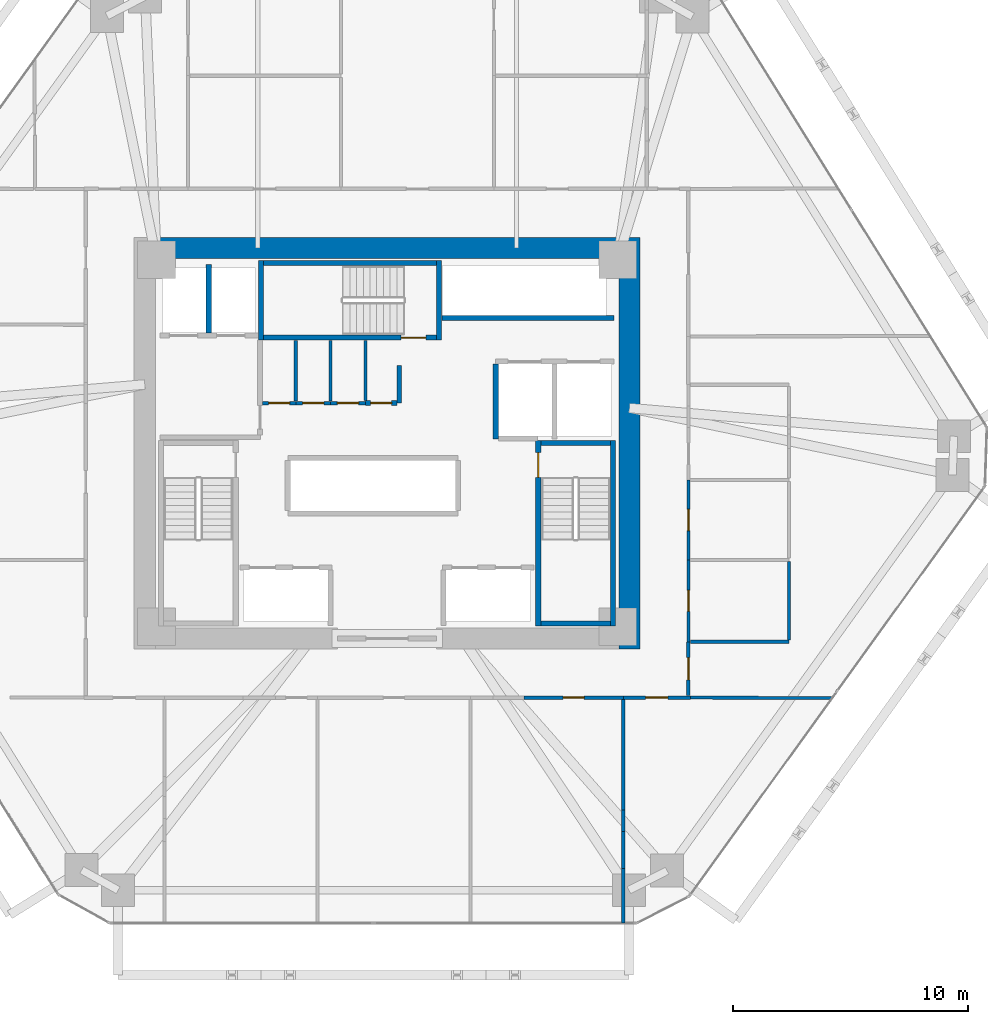
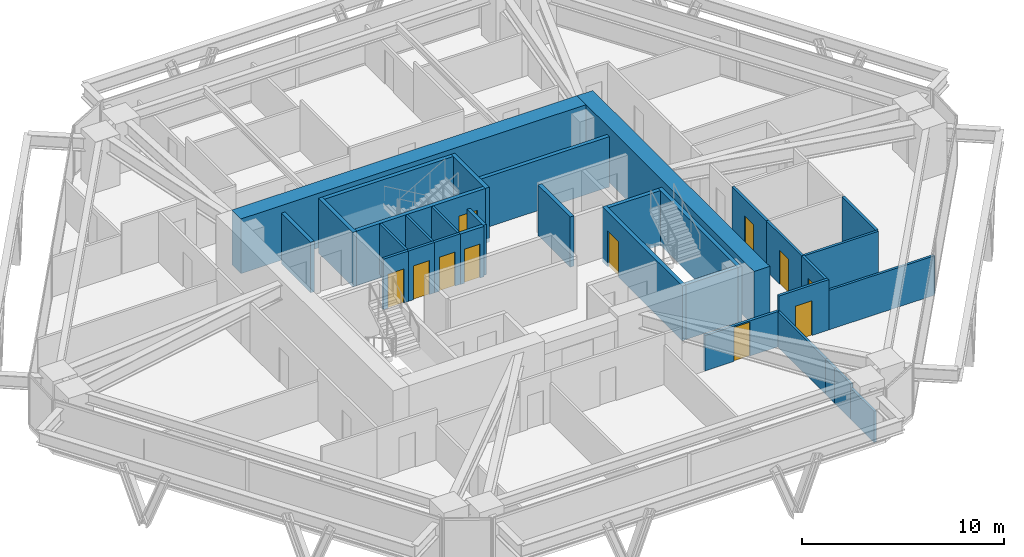
# One storey, part 12 of 15: 33 walls, 11 doors, 11 openings.
"""IFC4 building model written with IfcOpenShell, lengths in metres."""

from ifc_helpers import new_model, si_unit, direction, frame, frame_2d, origin, place, context, subcontext, project, spatial, rectangle, extrude, source, transform, mapped, material, layer, layer_set, type_object, type_shapes, element, fill, save


model = new_model("IFC4")

# Units and contexts
model_context = context("Model", 3, precision=1e-05, world=origin(), true_north=direction((0.0, 1.0)))
body_context = subcontext(model_context, "Body", "Model", "MODEL_VIEW")
ifc_project = project(units=[si_unit("LENGTHUNIT", "METRE"), si_unit("AREAUNIT", "SQUARE_METRE"), si_unit("VOLUMEUNIT", "CUBIC_METRE"), si_unit("PLANEANGLEUNIT", "RADIAN"), si_unit("MASSUNIT", "GRAM", prefix="KILO")], contexts=[model_context])

# Site, building, storey
site_placement = place(None, origin())
site = spatial("IfcSite", under=ifc_project, at=site_placement, CompositionType="ELEMENT")
building_placement = place(site_placement, origin())
building = spatial("IfcBuilding", under=site, at=building_placement, Name="Durnholm Broadcast Tower", CompositionType="ELEMENT")
storey_placement = place(building_placement, frame((0.0, 0.0, 42.300048828125)))
storey = spatial("IfcBuildingStorey", under=building, at=storey_placement, Name="L09", CompositionType="ELEMENT", Elevation=42.300048828125)

# Walls
ifc_material_1 = material(Name="Concrete C70/85", Category="concrete")
ifc_layer_1 = layer(ifc_material_1, 0.89990234375)
ifc_layer_set_1 = layer_set([ifc_layer_1], Name="Concrete C70/85")
wall_type_1 = type_object("IfcWallType", Name="WALL-CW-900", PredefinedType="SHEAR", material=ifc_layer_set_1)
wall_1_placement = place(storey_placement, frame((10.300048828125, -8.75, 0.0), z_axis=(0.0, 0.0, 1.0), x_axis=(0.0, 1.0, 0.0)))
element("IfcWall", 1, at=wall_1_placement, inside=storey, type_object=wall_type_1, Name="L09 central core shear wall CW-EAST", PredefinedType="SHEAR", context=body_context, shape_type="SweptSolid", body=[
    extrude(rectangle(XDim=17.5, YDim=0.89990234375, at=frame_2d((8.75, 0.0))), origin(), (0.0, 0.0, 1.0), 3.300048828125),
])
wall_2_placement = place(storey_placement, frame((-9.85009765625, 8.300048828125, 0.0), z_axis=(0.0, 0.0, 1.0), x_axis=(1.0, 0.0, 0.0)))
element("IfcWall", 2, at=wall_2_placement, inside=storey, type_object=wall_type_1, Name="L09 central core shear wall CW-N", PredefinedType="SHEAR", context=body_context, shape_type="SweptSolid", body=[
    extrude(rectangle(XDim=19.7001953125, YDim=0.89990234375, at=frame_2d((9.85009765625, 0.0))), origin(), (0.0, 0.0, 1.0), 3.300048828125),
])
ifc_material_2 = material(Name="Fire-Rated Gypsum Shaftwall", Category="concrete")
ifc_layer_2 = layer(ifc_material_2, 0.199951171875)
ifc_layer_set_2 = layer_set([ifc_layer_2], Name="Fire-Rated Gypsum Shaftwall")
wall_type_2 = type_object("IfcWallType", Name="WALL-LOB-200", PredefinedType="SOLIDWALL", material=ifc_layer_set_2)
wall_3_placement = place(storey_placement, frame((0.52001953125, 3.300048828125, 0.0), z_axis=(0.0, 0.0, 1.0), x_axis=(0.0, -1.0, 0.0)))
element("IfcWall", 3, at=wall_3_placement, inside=storey, type_object=wall_type_2, Name="L09 Core Signal Sync Room corridor partition", PredefinedType="SOLIDWALL", context=body_context, shape_type="SweptSolid", body=[
    extrude(rectangle(XDim=1.590087890625, YDim=0.199951171875, at=frame_2d((0.794921875, 0.0))), origin(), (0.0, 0.0, 1.0), 3.044921875),
])

# Wall, opening, door
wall_4_placement = place(storey_placement, frame((0.416015625, 1.7099609375, 0.0), z_axis=(0.0, 0.0, 1.0), x_axis=(-1.0, 0.0, 0.0)))
wall_4 = element("IfcWall", 4, at=wall_4_placement, inside=storey, type_object=wall_type_2, Name="L09 Core Signal Sync Room corridor partition", PredefinedType="SOLIDWALL", context=body_context, shape_type="SweptSolid", body=[
    extrude(rectangle(XDim=1.3359375, YDim=0.199951171875, at=frame_2d((0.66796875, 0.0))), origin(), (0.0, 0.0, 1.0), 3.044921875),
])
opening_1_placement = place(wall_4_placement, frame((0.218017578125, 0.0, 0.0)))
opening_1 = element("IfcOpeningElement", 5, at=opening_1_placement, cuts=wall_4, Name="Opening DC-60R", PredefinedType="OPENING", context=body_context, shape_type="SweptSolid", body=[
    extrude(rectangle(XDim=0.89990234375, YDim=2.050048828125, at=frame_2d((0.449951171875, 1.02490234375))), frame((0.0, 0.10986328125, 0.0), z_axis=(0.0, -1.0, 0.0), x_axis=(1.0, 0.0, 0.0)), (0.0, 0.0, 1.0), 0.219970703125),
])
ifc_material_3 = material(Name="Fire-Rated Core Service Door", Category="steel")
ifc_layer_3 = layer(ifc_material_3, 0.050048828125)
ifc_layer_set_3 = layer_set([ifc_layer_3], Name="Fire-Rated Core Service Door")
door_type_1 = type_object("IfcDoorType", Name="DOOR-CORE-FD60-R", OperationType="NOTDEFINED", PredefinedType="DOOR", material=ifc_layer_set_3)
shared_shape_1 = source(origin(), body_context, "Body", "SweptSolid", [
    extrude(rectangle(XDim=0.89990234375, YDim=2.050048828125, at=frame_2d((0.449951171875, 1.02490234375))), frame((0.0, 0.02490234375, 0.0), z_axis=(0.0, -1.0, 0.0), x_axis=(1.0, 0.0, 0.0)), (0.0, 0.0, 1.0), 0.050048828125),
])
type_shapes(door_type_1, [shared_shape_1])
door_1_placement = place(opening_1_placement, origin())
door_1 = element("IfcDoor", 6, at=door_1_placement, inside=storey, type_object=door_type_1, Name="L09 Core Signal Sync Room entrance door", OperationType="SINGLE_SWING_RIGHT", OverallHeight=2.050048828125, OverallWidth=0.89990234375, PredefinedType="DOOR", context=body_context, shape_type="MappedRepresentation", body=[
    mapped(shared_shape_1, transform((0.0, 0.0, 0.0), x_axis=(1.0, 0.0, 0.0), y_axis=(0.0, 1.0, 0.0), z_axis=(0.0, 0.0, 1.0), scale=1.0)),
])
fill(opening_1, door_1)

# Walls
ifc_material_4 = material(Name="Gypsum Metal Stud Partition", Category="concrete")
ifc_layer_4 = layer(ifc_material_4, 0.135009765625)
ifc_layer_set_4 = layer_set([ifc_layer_4], Name="Gypsum Metal Stud Partition")
wall_type_3 = type_object("IfcWallType", Name="WALL-PART-135", PredefinedType="PARTITIONING", material=ifc_layer_set_4)
for number, where, z_axis, x_axis, name in (
    (7, (-3.8798828125, 4.375, 0.0), (0.0, 0.0, 1.0), (0.0, -1.0, 0.0), "L09 room dividing partition 1.2"),
    (8, (-2.39990234375, 4.375, 0.0), (0.0, 0.0, 1.0), (0.0, -1.0, 0.0), "L09 room dividing partition 2.3"),
):
    element("IfcWall", number, at=place(storey_placement, frame(where, z_axis=z_axis, x_axis=x_axis)), inside=storey, type_object=wall_type_3, Name=name, PredefinedType="PARTITIONING", context=body_context, shape_type="SweptSolid", body=[
        extrude(rectangle(XDim=2.5859375, YDim=0.135009765625, at=frame_2d((1.29296875, 0.0))), origin(), (0.0, 0.0, 1.0), 3.044921875),
    ])
wall_5_placement = place(storey_placement, frame((-0.919921875, 4.375, 0.0), z_axis=(0.0, 0.0, 1.0), x_axis=(0.0, -1.0, 0.0)))
element("IfcWall", 9, at=wall_5_placement, inside=storey, type_object=wall_type_3, Name="L09 room dividing partition 3.4", PredefinedType="PARTITIONING", context=body_context, shape_type="SweptSolid", body=[
    extrude(rectangle(XDim=2.56103515625, YDim=0.135009765625, at=frame_2d((1.280517578125, 0.0))), origin(), (0.0, 0.0, 1.0), 3.044921875),
])
wall_6_placement = place(storey_placement, frame((10.0400390625, -10.888916015625, 0.0), z_axis=(0.0, 0.0, 1.0), x_axis=(0.0, -1.0, 0.0)))
element("IfcWall", 10, at=wall_6_placement, inside=storey, type_object=wall_type_3, Name="L09 room dividing partition 19.20", PredefinedType="PARTITIONING", context=body_context, shape_type="SweptSolid", body=[
    extrude(rectangle(XDim=4.706787109375, YDim=0.135009765625, at=frame_2d((2.353515625, 0.0))), origin(), (0.0, 0.0, 1.0), 2.130126953125),
])
wall_7_placement = place(storey_placement, frame((10.0400390625, -16.508544921875, 0.0), z_axis=(0.0, 0.0, 1.0), x_axis=(0.0, -1.0, 0.0)))
element("IfcWall", 11, at=wall_7_placement, inside=storey, type_object=wall_type_3, Name="L09 room dividing partition 19.20", PredefinedType="PARTITIONING", context=body_context, shape_type="SweptSolid", body=[
    extrude(rectangle(XDim=1.57763671875, YDim=0.135009765625, at=frame_2d((0.788818359375, 0.0))), origin(), (0.0, 0.0, 1.0), 2.130126953125),
])
wall_8_placement = place(storey_placement, frame((10.0400390625, -15.595703125, 0.0), z_axis=(0.0, 0.0, 1.0), x_axis=(0.0, -1.0, 0.0)))
element("IfcWall", 12, at=wall_8_placement, inside=storey, type_object=wall_type_3, Name="L09 room dividing partition 19.20", PredefinedType="PARTITIONING", context=body_context, shape_type="SweptSolid", body=[
    extrude(rectangle(XDim=0.912841796875, YDim=0.135009765625, at=frame_2d((0.45654296875, 0.0))), origin(), (0.0, 0.0, 1.0), 2.130126953125),
])
wall_9_placement = place(storey_placement, frame((10.0400390625, -18.086181640625, 0.0), z_axis=(0.0, 0.0, 1.0), x_axis=(0.0, -1.0, 0.0)))
element("IfcWall", 13, at=wall_9_placement, inside=storey, type_object=wall_type_3, Name="L09 room dividing partition 19.20", PredefinedType="PARTITIONING", context=body_context, shape_type="SweptSolid", body=[
    extrude(rectangle(XDim=2.313720703125, YDim=0.135009765625, at=frame_2d((1.15673828125, 0.0))), origin(), (0.0, 0.0, 1.0), 1.877197265625),
])
wall_10_placement = place(storey_placement, frame((12.889892578125, -10.810302734375, 0.0), z_axis=(0.0, 0.0, 1.0), x_axis=(0.999992607823, -0.003845035728, 0.0)))
element("IfcWall", 14, at=wall_10_placement, inside=storey, type_object=wall_type_3, Name="L09 room dividing partition 20.24", PredefinedType="PARTITIONING", context=body_context, shape_type="SweptSolid", body=[
    extrude(rectangle(XDim=6.031982421875, YDim=0.135009765625, at=frame_2d((3.01611328125, 0.0))), origin(), (0.0, 0.0, 1.0), 2.3798828125),
])

# Wall, opening, door
ifc_material_5 = material(Name="Acoustic Gypsum Stud Partition", Category="concrete")
ifc_layer_5 = layer(ifc_material_5, 0.14990234375)
ifc_layer_set_5 = layer_set([ifc_layer_5], Name="Acoustic Gypsum Stud Partition")
wall_type_4 = type_object("IfcWallType", Name="WALL-PART-150", PredefinedType="PARTITIONING", material=ifc_layer_set_5)
wall_11_placement = place(storey_placement, frame((-3.8798828125, 1.7099609375, 0.0), z_axis=(0.0, 0.0, 1.0), x_axis=(-1.0, 0.0, 0.0)))
wall_11 = element("IfcWall", 15, at=wall_11_placement, inside=storey, type_object=wall_type_4, Name="L09 Core First Aid Store corridor partition", PredefinedType="PARTITIONING", context=body_context, shape_type="SweptSolid", body=[
    extrude(rectangle(XDim=1.416015625, YDim=0.14990234375, at=frame_2d((0.7080078125, 0.0))), origin(), (0.0, 0.0, 1.0), 3.044921875),
])
opening_2_placement = place(wall_11_placement, frame((0.258056640625, 0.0, 0.0)))
opening_2 = element("IfcOpeningElement", 16, at=opening_2_placement, cuts=wall_11, Name="Opening DC-60L", PredefinedType="OPENING", context=body_context, shape_type="SweptSolid", body=[
    extrude(rectangle(XDim=0.89990234375, YDim=2.050048828125, at=frame_2d((0.449951171875, 1.02490234375))), frame((0.0, 0.0849609375, 0.0), z_axis=(0.0, -1.0, 0.0), x_axis=(1.0, 0.0, 0.0)), (0.0, 0.0, 1.0), 0.169921875),
])
ifc_layer_6 = layer(ifc_material_3, 0.050048828125)
ifc_layer_set_6 = layer_set([ifc_layer_6], Name="Fire-Rated Core Service Door")
door_type_2 = type_object("IfcDoorType", Name="DOOR-CORE-FD60-L", OperationType="NOTDEFINED", PredefinedType="DOOR", material=ifc_layer_set_6)
shared_shape_2 = source(origin(), body_context, "Body", "SweptSolid", [
    extrude(rectangle(XDim=0.89990234375, YDim=2.050048828125, at=frame_2d((0.449951171875, 1.02490234375))), frame((0.0, 0.02490234375, 0.0), z_axis=(0.0, -1.0, 0.0), x_axis=(1.0, 0.0, 0.0)), (0.0, 0.0, 1.0), 0.050048828125),
])
type_shapes(door_type_2, [shared_shape_2])
door_2_placement = place(opening_2_placement, origin())
door_2 = element("IfcDoor", 17, at=door_2_placement, inside=storey, type_object=door_type_2, Name="L09 Core First Aid Store entrance door", OperationType="SINGLE_SWING_LEFT", OverallHeight=2.050048828125, OverallWidth=0.89990234375, PredefinedType="DOOR", context=body_context, shape_type="MappedRepresentation", body=[
    mapped(shared_shape_2, transform((0.0, 0.0, 0.0), x_axis=(1.0, 0.0, 0.0), y_axis=(0.0, 1.0, 0.0), z_axis=(0.0, 0.0, 1.0), scale=1.0)),
])
fill(opening_2, door_2)

wall_12_placement = place(storey_placement, frame((-2.39990234375, 1.7099609375, 0.0), z_axis=(0.0, 0.0, 1.0), x_axis=(-1.0, 0.0, 0.0)))
wall_12 = element("IfcWall", 18, at=wall_12_placement, inside=storey, type_object=wall_type_4, Name="L09 Core Linen Supply Closet corridor partition", PredefinedType="PARTITIONING", context=body_context, shape_type="SweptSolid", body=[
    extrude(rectangle(XDim=1.47998046875, YDim=0.14990234375, at=frame_2d((0.739990234375, 0.0))), origin(), (0.0, 0.0, 1.0), 3.044921875),
])
opening_3_placement = place(wall_12_placement, frame((0.2900390625, 0.0, 0.0)))
opening_3 = element("IfcOpeningElement", 19, at=opening_3_placement, cuts=wall_12, Name="Opening DC-60R", PredefinedType="OPENING", context=body_context, shape_type="SweptSolid", body=[
    extrude(rectangle(XDim=0.89990234375, YDim=2.050048828125, at=frame_2d((0.449951171875, 1.02490234375))), frame((0.0, 0.0849609375, 0.0), z_axis=(0.0, -1.0, 0.0), x_axis=(1.0, 0.0, 0.0)), (0.0, 0.0, 1.0), 0.169921875),
])
door_3_placement = place(opening_3_placement, origin())
door_3 = element("IfcDoor", 20, at=door_3_placement, inside=storey, type_object=door_type_1, Name="L09 Core Linen Supply Closet entrance door", OperationType="SINGLE_SWING_RIGHT", OverallHeight=2.050048828125, OverallWidth=0.89990234375, PredefinedType="DOOR", context=body_context, shape_type="MappedRepresentation", body=[
    mapped(shared_shape_1, transform((0.0, 0.0, 0.0), x_axis=(1.0, 0.0, 0.0), y_axis=(0.0, 1.0, 0.0), z_axis=(0.0, 0.0, 1.0), scale=1.0)),
])
fill(opening_3, door_3)

wall_13_placement = place(storey_placement, frame((-0.919921875, 1.7099609375, 0.0), z_axis=(0.0, 0.0, 1.0), x_axis=(-1.0, 0.0, 0.0)))
wall_13 = element("IfcWall", 21, at=wall_13_placement, inside=storey, type_object=wall_type_4, Name="L09 Core Safety Gear Store corridor partition", PredefinedType="PARTITIONING", context=body_context, shape_type="SweptSolid", body=[
    extrude(rectangle(XDim=1.47998046875, YDim=0.14990234375, at=frame_2d((0.739990234375, 0.0))), origin(), (0.0, 0.0, 1.0), 3.044921875),
])
opening_4_placement = place(wall_13_placement, frame((0.2900390625, 0.0, 0.0)))
opening_4 = element("IfcOpeningElement", 22, at=opening_4_placement, cuts=wall_13, Name="Opening DC-60L", PredefinedType="OPENING", context=body_context, shape_type="SweptSolid", body=[
    extrude(rectangle(XDim=0.89990234375, YDim=2.050048828125, at=frame_2d((0.449951171875, 1.02490234375))), frame((0.0, 0.0849609375, 0.0), z_axis=(0.0, -1.0, 0.0), x_axis=(1.0, 0.0, 0.0)), (0.0, 0.0, 1.0), 0.169921875),
])
door_4_placement = place(opening_4_placement, origin())
door_4 = element("IfcDoor", 23, at=door_4_placement, inside=storey, type_object=door_type_2, Name="L09 Core Safety Gear Store entrance door", OperationType="SINGLE_SWING_LEFT", OverallHeight=2.050048828125, OverallWidth=0.89990234375, PredefinedType="DOOR", context=body_context, shape_type="MappedRepresentation", body=[
    mapped(shared_shape_2, transform((0.0, 0.0, 0.0), x_axis=(1.0, 0.0, 0.0), y_axis=(0.0, 1.0, 0.0), z_axis=(0.0, 0.0, 1.0), scale=1.0)),
])
fill(opening_4, door_4)

wall_14_placement = place(storey_placement, frame((5.8173828125, -10.81005859375, 0.0), z_axis=(0.0, 0.0, 1.0), x_axis=(1.0, 0.0, 0.0)))
wall_14 = element("IfcWall", 24, at=wall_14_placement, inside=storey, type_object=wall_type_4, Name="L09 Video Edit Office 1 corridor partition", PredefinedType="PARTITIONING", context=body_context, shape_type="SweptSolid", body=[
    extrude(rectangle(XDim=4.22265625, YDim=0.14990234375, at=frame_2d((2.111328125, 0.0))), origin(), (0.0, 0.0, 1.0), 2.130126953125),
])
opening_5_placement = place(wall_14_placement, frame((1.661376953125, 0.0, 0.0)))
opening_5 = element("IfcOpeningElement", 25, at=opening_5_placement, cuts=wall_14, Name="Opening DW-90L", PredefinedType="OPENING", context=body_context, shape_type="SweptSolid", body=[
    extrude(rectangle(XDim=0.89990234375, YDim=2.050048828125, at=frame_2d((0.449951171875, 1.02490234375))), frame((0.0, 0.0849609375, 0.0), z_axis=(0.0, -1.0, 0.0), x_axis=(1.0, 0.0, 0.0)), (0.0, 0.0, 1.0), 0.169921875),
])
ifc_material_6 = material(Name="Laminate Restroom Door", Category="steel")
ifc_layer_7 = layer(ifc_material_6, 0.050048828125)
ifc_layer_set_7 = layer_set([ifc_layer_7], Name="Laminate Restroom Door")
door_type_3 = type_object("IfcDoorType", Name="DOOR-WC-900L", OperationType="NOTDEFINED", PredefinedType="DOOR", material=ifc_layer_set_7)
shared_shape_3 = source(origin(), body_context, "Body", "SweptSolid", [
    extrude(rectangle(XDim=0.89990234375, YDim=2.050048828125, at=frame_2d((0.449951171875, 1.02490234375))), frame((0.0, 0.02490234375, 0.0), z_axis=(0.0, -1.0, 0.0), x_axis=(1.0, 0.0, 0.0)), (0.0, 0.0, 1.0), 0.050048828125),
])
type_shapes(door_type_3, [shared_shape_3])
door_5_placement = place(opening_5_placement, origin())
door_5 = element("IfcDoor", 26, at=door_5_placement, inside=storey, type_object=door_type_3, Name="L09 Video Edit Office 1 entrance door", OperationType="SINGLE_SWING_LEFT", OverallHeight=2.050048828125, OverallWidth=0.89990234375, PredefinedType="DOOR", context=body_context, shape_type="MappedRepresentation", body=[
    mapped(shared_shape_3, transform((0.0, 0.0, 0.0), x_axis=(1.0, 0.0, 0.0), y_axis=(0.0, 1.0, 0.0), z_axis=(0.0, 0.0, 1.0), scale=1.0)),
])
fill(opening_5, door_5)

wall_15_placement = place(storey_placement, frame((10.0400390625, -10.81005859375, 0.0), z_axis=(0.0, 0.0, 1.0), x_axis=(1.0, 0.0, 0.0)))
wall_15 = element("IfcWall", 27, at=wall_15_placement, inside=storey, type_object=wall_type_4, Name="L09 Video Edit Office 2 corridor partition", PredefinedType="PARTITIONING", context=body_context, shape_type="SweptSolid", body=[
    extrude(rectangle(XDim=2.849853515625, YDim=0.14990234375, at=frame_2d((1.4248046875, 0.0))), origin(), (0.0, 0.0, 1.0), 3.044921875),
])
opening_6_placement = place(wall_15_placement, frame((0.949951171875, 0.0, 0.0)))
opening_6 = element("IfcOpeningElement", 28, at=opening_6_placement, cuts=wall_15, Name="Opening DR-95R", PredefinedType="OPENING", context=body_context, shape_type="SweptSolid", body=[
    extrude(rectangle(XDim=0.949951171875, YDim=2.10009765625, at=frame_2d((0.47509765625, 1.050048828125))), frame((0.0, 0.0849609375, 0.0), z_axis=(0.0, -1.0, 0.0), x_axis=(1.0, 0.0, 0.0)), (0.0, 0.0, 1.0), 0.169921875),
])
ifc_material_7 = material(Name="Acoustic Oak Veneer Timber Door", Category="wood")
ifc_layer_8 = layer(ifc_material_7, 0.050048828125)
ifc_layer_set_8 = layer_set([ifc_layer_8], Name="Acoustic Oak Veneer Timber Door")
door_type_4 = type_object("IfcDoorType", Name="DOOR-RM-950R", OperationType="NOTDEFINED", PredefinedType="DOOR", material=ifc_layer_set_8)
shared_shape_4 = source(origin(), body_context, "Body", "SweptSolid", [
    extrude(rectangle(XDim=0.949951171875, YDim=2.10009765625, at=frame_2d((0.47509765625, 1.050048828125))), frame((0.0, 0.02490234375, 0.0), z_axis=(0.0, -1.0, 0.0), x_axis=(1.0, 0.0, 0.0)), (0.0, 0.0, 1.0), 0.050048828125),
])
type_shapes(door_type_4, [shared_shape_4])
door_6_placement = place(opening_6_placement, origin())
door_6 = element("IfcDoor", 29, at=door_6_placement, inside=storey, type_object=door_type_4, Name="L09 Video Edit Office 2 entrance door", OperationType="SINGLE_SWING_RIGHT", OverallHeight=2.10009765625, OverallWidth=0.949951171875, PredefinedType="DOOR", context=body_context, shape_type="MappedRepresentation", body=[
    mapped(shared_shape_4, transform((0.0, 0.0, 0.0), x_axis=(1.0, 0.0, 0.0), y_axis=(0.0, 1.0, 0.0), z_axis=(0.0, 0.0, 1.0), scale=1.0)),
])
fill(opening_6, door_6)

wall_16_placement = place(storey_placement, frame((12.81005859375, -10.73095703125, 0.0), z_axis=(0.0, 0.0, 1.0), x_axis=(0.0, 1.0, 0.0)))
wall_16 = element("IfcWall", 30, at=wall_16_placement, inside=storey, type_object=wall_type_4, Name="L09 Anchor Prep Office corridor partition", PredefinedType="PARTITIONING", context=body_context, shape_type="SweptSolid", body=[
    extrude(rectangle(XDim=2.291015625, YDim=0.14990234375, at=frame_2d((1.1455078125, 0.0))), origin(), (0.0, 0.0, 1.0), 3.044921875),
])
opening_7_placement = place(wall_16_placement, frame((0.67041015625, 0.0, 0.0)))
opening_7 = element("IfcOpeningElement", 31, at=opening_7_placement, cuts=wall_16, Name="Opening DR-95R", PredefinedType="OPENING", context=body_context, shape_type="SweptSolid", body=[
    extrude(rectangle(XDim=0.949951171875, YDim=2.10009765625, at=frame_2d((0.47509765625, 1.050048828125))), frame((0.0, 0.0849609375, 0.0), z_axis=(0.0, -1.0, 0.0), x_axis=(1.0, 0.0, 0.0)), (0.0, 0.0, 1.0), 0.169921875),
])
door_7_placement = place(opening_7_placement, origin())
door_7 = element("IfcDoor", 32, at=door_7_placement, inside=storey, type_object=door_type_4, Name="L09 Anchor Prep Office entrance door", OperationType="SINGLE_SWING_RIGHT", OverallHeight=2.10009765625, OverallWidth=0.949951171875, PredefinedType="DOOR", context=body_context, shape_type="MappedRepresentation", body=[
    mapped(shared_shape_4, transform((0.0, 0.0, 0.0), x_axis=(1.0, 0.0, 0.0), y_axis=(0.0, 1.0, 0.0), z_axis=(0.0, 0.0, 1.0), scale=1.0)),
])
fill(opening_7, door_7)

# Walls
ifc_material_8 = material(Name="Concrete Blockwork C30/37", Category="masonry")
ifc_layer_9 = layer(ifc_material_8, 0.219970703125)
ifc_layer_set_9 = layer_set([ifc_layer_9], Name="Concrete Blockwork C30/37")
wall_type_5 = type_object("IfcWallType", Name="WALL-SHAFT-220", PredefinedType="SOLIDWALL", material=ifc_layer_set_9)
wall_17_placement = place(storey_placement, frame((-7.580078125, 4.694091796875, 0.0), z_axis=(0.0, 0.0, 1.0), x_axis=(0.0, 1.0, 0.0)))
element("IfcWall", 33, at=wall_17_placement, inside=storey, type_object=wall_type_5, Name="L09 FSAE shaft divider wall", PredefinedType="SOLIDWALL", context=body_context, shape_type="SweptSolid", body=[
    extrude(rectangle(XDim=2.906005859375, YDim=0.219970703125, at=frame_2d((1.453125, 0.0))), origin(), (0.0, 0.0, 1.0), 3.044921875),
])
wall_18_placement = place(storey_placement, frame((4.6201171875, 0.179931640625, 0.0), z_axis=(0.0, 0.0, 1.0), x_axis=(0.0, 1.0, 0.0)))
element("IfcWall", 34, at=wall_18_placement, inside=storey, type_object=wall_type_5, Name="L09 freight service lift SVL-2 west wall", PredefinedType="SOLIDWALL", context=body_context, shape_type="SweptSolid", body=[
    extrude(rectangle(XDim=3.18603515625, YDim=0.219970703125, at=frame_2d((1.593017578125, 0.0))), origin(), (0.0, 0.0, 1.0), 3.044921875),
])
wall_19_placement = place(storey_placement, frame((2.324951171875, 5.320068359375, 0.0), z_axis=(0.0, 0.0, 1.0), x_axis=(1.0, 0.0, 0.0)))
element("IfcWall", 35, at=wall_19_placement, inside=storey, type_object=wall_type_5, Name="L09 high-rise bank P3 south front wall", PredefinedType="SOLIDWALL", context=body_context, shape_type="SweptSolid", body=[
    extrude(rectangle(XDim=7.324951171875, YDim=0.219970703125, at=frame_2d((3.66259765625, 0.0))), origin(), (0.0, 0.0, 1.0), 3.044921875),
])
ifc_material_9 = material(Name="Concrete C50/60", Category="concrete")
ifc_layer_10 = layer(ifc_material_9, 0.219970703125)
ifc_layer_set_10 = layer_set([ifc_layer_10], Name="Concrete C50/60")
wall_type_6 = type_object("IfcWallType", Name="WALL-SW-220", PredefinedType="SHEAR", material=ifc_layer_set_10)
wall_20_placement = place(storey_placement, frame((9.610107421875, -7.77001953125, -0.239990234375), z_axis=(0.0, 0.0, 1.0), x_axis=(0.0, 1.0, 0.0)))
element("IfcWall", 36, at=wall_20_placement, inside=storey, type_object=wall_type_6, Name="L09 stair ST-2 structural shaft wall E", PredefinedType="SHEAR", context=body_context, shape_type="SweptSolid", body=[
    extrude(rectangle(XDim=7.89013671875, YDim=0.219970703125, at=frame_2d((3.945068359375, 0.0))), origin(), (0.0, 0.0, 1.0), 3.300048828125),
])

# Wall, opening, door
wall_21_placement = place(storey_placement, frame((6.429931640625, 0.1201171875, -0.239990234375), z_axis=(0.0, 0.0, 1.0), x_axis=(0.0, -1.0, 0.0)))
wall_21 = element("IfcWall", 37, at=wall_21_placement, inside=storey, type_object=wall_type_6, Name="L09 stair ST-2 structural shaft wall W", PredefinedType="SHEAR", context=body_context, shape_type="SweptSolid", body=[
    extrude(rectangle(XDim=7.89013671875, YDim=0.219970703125, at=frame_2d((3.945068359375, 0.0))), origin(), (0.0, 0.0, 1.0), 3.300048828125),
])
opening_8_placement = place(wall_21_placement, frame((0.52001953125, 0.0, 0.0)))
opening_8 = element("IfcOpeningElement", 38, at=opening_8_placement, cuts=wall_21, Name="Opening DS-90R", PredefinedType="OPENING", context=body_context, shape_type="SweptSolid", body=[
    extrude(rectangle(XDim=1.050048828125, YDim=2.14990234375, at=frame_2d((0.52490234375, 1.074951171875))), frame((0.0, 0.1201171875, 0.0), z_axis=(0.0, -1.0, 0.0), x_axis=(1.0, 0.0, 0.0)), (0.0, 0.0, 1.0), 0.239990234375),
])
ifc_material_10 = material(Name="Fire-Rated Steel Door", Category="steel")
ifc_layer_11 = layer(ifc_material_10, 0.050048828125)
ifc_layer_set_11 = layer_set([ifc_layer_11], Name="Fire-Rated Steel Door")
door_type_5 = type_object("IfcDoorType", Name="DOOR-ST-FD90-R", OperationType="NOTDEFINED", PredefinedType="DOOR", material=ifc_layer_set_11)
shared_shape_5 = source(origin(), body_context, "Body", "SweptSolid", [
    extrude(rectangle(XDim=1.050048828125, YDim=2.14990234375, at=frame_2d((0.52490234375, 1.074951171875))), frame((0.0, 0.02490234375, 0.0), z_axis=(0.0, -1.0, 0.0), x_axis=(1.0, 0.0, 0.0)), (0.0, 0.0, 1.0), 0.050048828125),
])
type_shapes(door_type_5, [shared_shape_5])
door_8_placement = place(opening_8_placement, origin())
door_8 = element("IfcDoor", 39, at=door_8_placement, inside=storey, type_object=door_type_5, Name="L09 exit stair ST-2 fire door", OperationType="SINGLE_SWING_RIGHT", OverallHeight=2.14990234375, OverallWidth=1.050048828125, PredefinedType="DOOR", context=body_context, shape_type="MappedRepresentation", body=[
    mapped(shared_shape_5, transform((0.0, 0.0, 0.0), x_axis=(1.0, 0.0, 0.0), y_axis=(0.0, 1.0, 0.0), z_axis=(0.0, 0.0, 1.0), scale=1.0)),
])
fill(opening_8, door_8)

# Walls
for number, where, z_axis, x_axis, name in (
    (40, (6.5400390625, -7.659912109375, -0.239990234375), (0.0, 0.0, 1.0), (1.0, 0.0, 0.0), "L09 stair ST-2 structural shaft wall S"),
    (41, (9.5, 0.010009765625, -0.239990234375), (0.0, 0.0, 1.0), (-1.0, 0.0, 0.0), "L09 stair ST-2 structural shaft wall N"),
):
    element("IfcWall", number, at=place(storey_placement, frame(where, z_axis=z_axis, x_axis=x_axis)), inside=storey, type_object=wall_type_6, Name=name, PredefinedType="SHEAR", context=body_context, shape_type="SweptSolid", body=[
        extrude(rectangle(XDim=2.9599609375, YDim=0.219970703125, at=frame_2d((1.47998046875, 0.0))), origin(), (0.0, 0.0, 1.0), 3.300048828125),
    ])
for number, where, z_axis, x_axis, name in (
    (42, (2.2099609375, 4.3798828125, -0.239990234375), (0.0, 0.0, 1.0), (0.0, 1.0, 0.0), "L09 stair ST-3 structural shaft wall E"),
    (43, (-5.360107421875, 7.780029296875, -0.239990234375), (0.0, 0.0, 1.0), (0.0, -1.0, 0.0), "L09 stair ST-3 structural shaft wall W"),
):
    element("IfcWall", number, at=place(storey_placement, frame(where, z_axis=z_axis, x_axis=x_axis)), inside=storey, type_object=wall_type_6, Name=name, PredefinedType="SHEAR", context=body_context, shape_type="SweptSolid", body=[
        extrude(rectangle(XDim=3.400146484375, YDim=0.219970703125, at=frame_2d((1.7001953125, 0.0))), origin(), (0.0, 0.0, 1.0), 3.300048828125),
    ])

# Wall, opening, door
wall_22_placement = place(storey_placement, frame((-5.25, 4.489990234375, -0.239990234375), z_axis=(0.0, 0.0, 1.0), x_axis=(1.0, 0.0, 0.0)))
wall_22 = element("IfcWall", 44, at=wall_22_placement, inside=storey, type_object=wall_type_6, Name="L09 stair ST-3 structural shaft wall S", PredefinedType="SHEAR", context=body_context, shape_type="SweptSolid", body=[
    extrude(rectangle(XDim=7.35009765625, YDim=0.219970703125, at=frame_2d((3.675048828125, 0.0))), origin(), (0.0, 0.0, 1.0), 3.300048828125),
])
opening_9_placement = place(wall_22_placement, frame((5.85009765625, 0.0, 0.0)))
opening_9 = element("IfcOpeningElement", 45, at=opening_9_placement, cuts=wall_22, Name="Opening DS-90L", PredefinedType="OPENING", context=body_context, shape_type="SweptSolid", body=[
    extrude(rectangle(XDim=1.050048828125, YDim=2.14990234375, at=frame_2d((0.52490234375, 1.074951171875))), frame((0.0, 0.1201171875, 0.0), z_axis=(0.0, -1.0, 0.0), x_axis=(1.0, 0.0, 0.0)), (0.0, 0.0, 1.0), 0.239990234375),
])
ifc_layer_12 = layer(ifc_material_10, 0.050048828125)
ifc_layer_set_12 = layer_set([ifc_layer_12], Name="Fire-Rated Steel Door")
door_type_6 = type_object("IfcDoorType", Name="DOOR-ST-FD90-L", OperationType="NOTDEFINED", PredefinedType="DOOR", material=ifc_layer_set_12)
shared_shape_6 = source(origin(), body_context, "Body", "SweptSolid", [
    extrude(rectangle(XDim=1.050048828125, YDim=2.14990234375, at=frame_2d((0.52490234375, 1.074951171875))), frame((0.0, 0.02490234375, 0.0), z_axis=(0.0, -1.0, 0.0), x_axis=(1.0, 0.0, 0.0)), (0.0, 0.0, 1.0), 0.050048828125),
])
type_shapes(door_type_6, [shared_shape_6])
door_9_placement = place(opening_9_placement, origin())
door_9 = element("IfcDoor", 46, at=door_9_placement, inside=storey, type_object=door_type_6, Name="L09 exit stair ST-3 fire door", OperationType="SINGLE_SWING_LEFT", OverallHeight=2.14990234375, OverallWidth=1.050048828125, PredefinedType="DOOR", context=body_context, shape_type="MappedRepresentation", body=[
    mapped(shared_shape_6, transform((0.0, 0.0, 0.0), x_axis=(1.0, 0.0, 0.0), y_axis=(0.0, 1.0, 0.0), z_axis=(0.0, 0.0, 1.0), scale=1.0)),
])
fill(opening_9, door_9)

# Wall
wall_23_placement = place(storey_placement, frame((2.10009765625, 7.669921875, -0.239990234375), z_axis=(0.0, 0.0, 1.0), x_axis=(-1.0, 0.0, 0.0)))
element("IfcWall", 47, at=wall_23_placement, inside=storey, type_object=wall_type_6, Name="L09 stair ST-3 structural shaft wall N", PredefinedType="SHEAR", context=body_context, shape_type="SweptSolid", body=[
    extrude(rectangle(XDim=7.35009765625, YDim=0.219970703125, at=frame_2d((3.675048828125, 0.0))), origin(), (0.0, 0.0, 1.0), 3.300048828125),
])

# Wall, opening, door
ifc_material_11 = material(Name="Moisture-Resistant Tile Partition", Category="concrete")
ifc_layer_13 = layer(ifc_material_11, 0.139892578125)
ifc_layer_set_13 = layer_set([ifc_layer_13], Name="Moisture-Resistant Tile Partition")
wall_type_7 = type_object("IfcWallType", Name="WALL-WC-140", PredefinedType="PARTITIONING", material=ifc_layer_set_13)
wall_24_placement = place(storey_placement, frame((12.81005859375, -8.43994140625, 0.0), z_axis=(0.0, 0.0, 1.0), x_axis=(0.0, 1.0, 0.0)))
wall_24 = element("IfcWall", 48, at=wall_24_placement, inside=storey, type_object=wall_type_7, Name="L09 Men's Restroom corridor partition", PredefinedType="PARTITIONING", context=body_context, shape_type="SweptSolid", body=[
    extrude(rectangle(XDim=3.47998046875, YDim=0.139892578125, at=frame_2d((1.739990234375, 0.0))), origin(), (0.0, 0.0, 1.0), 3.044921875),
])
opening_10_placement = place(wall_24_placement, frame((1.2900390625, 0.0, 0.0)))
opening_10 = element("IfcOpeningElement", 49, at=opening_10_placement, cuts=wall_24, Name="Opening DW-90L", PredefinedType="OPENING", context=body_context, shape_type="SweptSolid", body=[
    extrude(rectangle(XDim=0.89990234375, YDim=2.050048828125, at=frame_2d((0.449951171875, 1.02490234375))), frame((0.0, 0.080078125, 0.0), z_axis=(0.0, -1.0, 0.0), x_axis=(1.0, 0.0, 0.0)), (0.0, 0.0, 1.0), 0.159912109375),
])
door_10_placement = place(opening_10_placement, origin())
door_10 = element("IfcDoor", 50, at=door_10_placement, inside=storey, type_object=door_type_3, Name="L09 Men's Restroom entrance door", OperationType="SINGLE_SWING_LEFT", OverallHeight=2.050048828125, OverallWidth=0.89990234375, PredefinedType="DOOR", context=body_context, shape_type="MappedRepresentation", body=[
    mapped(shared_shape_3, transform((0.0, 0.0, 0.0), x_axis=(1.0, 0.0, 0.0), y_axis=(0.0, 1.0, 0.0), z_axis=(0.0, 0.0, 1.0), scale=1.0)),
])
fill(opening_10, door_10)

wall_25_placement = place(storey_placement, frame((12.81005859375, -4.9599609375, 0.0), z_axis=(0.0, 0.0, 1.0), x_axis=(0.0, 1.0, 0.0)))
wall_25 = element("IfcWall", 51, at=wall_25_placement, inside=storey, type_object=wall_type_7, Name="L09 Women's Restroom corridor partition", PredefinedType="PARTITIONING", context=body_context, shape_type="SweptSolid", body=[
    extrude(rectangle(XDim=3.39990234375, YDim=0.139892578125, at=frame_2d((1.699951171875, 0.0))), origin(), (0.0, 0.0, 1.0), 3.044921875),
])
opening_11_placement = place(wall_25_placement, frame((1.25, 0.0, 0.0)))
opening_11 = element("IfcOpeningElement", 52, at=opening_11_placement, cuts=wall_25, Name="Opening DW-90R", PredefinedType="OPENING", context=body_context, shape_type="SweptSolid", body=[
    extrude(rectangle(XDim=0.89990234375, YDim=2.050048828125, at=frame_2d((0.449951171875, 1.02490234375))), frame((0.0, 0.080078125, 0.0), z_axis=(0.0, -1.0, 0.0), x_axis=(1.0, 0.0, 0.0)), (0.0, 0.0, 1.0), 0.159912109375),
])
ifc_layer_14 = layer(ifc_material_6, 0.050048828125)
ifc_layer_set_14 = layer_set([ifc_layer_14], Name="Laminate Restroom Door")
door_type_7 = type_object("IfcDoorType", Name="DOOR-WC-900R", OperationType="NOTDEFINED", PredefinedType="DOOR", material=ifc_layer_set_14)
shared_shape_7 = source(origin(), body_context, "Body", "SweptSolid", [
    extrude(rectangle(XDim=0.89990234375, YDim=2.050048828125, at=frame_2d((0.449951171875, 1.02490234375))), frame((0.0, 0.02490234375, 0.0), z_axis=(0.0, -1.0, 0.0), x_axis=(1.0, 0.0, 0.0)), (0.0, 0.0, 1.0), 0.050048828125),
])
type_shapes(door_type_7, [shared_shape_7])
door_11_placement = place(opening_11_placement, origin())
door_11 = element("IfcDoor", 53, at=door_11_placement, inside=storey, type_object=door_type_7, Name="L09 Women's Restroom entrance door", OperationType="SINGLE_SWING_RIGHT", OverallHeight=2.050048828125, OverallWidth=0.89990234375, PredefinedType="DOOR", context=body_context, shape_type="MappedRepresentation", body=[
    mapped(shared_shape_7, transform((0.0, 0.0, 0.0), x_axis=(1.0, 0.0, 0.0), y_axis=(0.0, 1.0, 0.0), z_axis=(0.0, 0.0, 1.0), scale=1.0)),
])
fill(opening_11, door_11)

# Walls
wall_26_placement = place(storey_placement, frame((17.090087890625, -8.43994140625, 0.0), z_axis=(0.0, 0.0, 1.0), x_axis=(-1.0, 0.0, 0.0)))
element("IfcWall", 54, at=wall_26_placement, inside=storey, type_object=wall_type_7, Name="L09 room dividing partition 5.24", PredefinedType="PARTITIONING", context=body_context, shape_type="SweptSolid", body=[
    extrude(rectangle(XDim=4.201171875, YDim=0.139892578125, at=frame_2d((2.1005859375, 0.0))), origin(), (0.0, 0.0, 1.0), 3.044921875),
])
wall_27_placement = place(storey_placement, frame((17.090087890625, -5.033935546875, 0.0), z_axis=(0.0, 0.0, 1.0), x_axis=(0.0, -1.0, 0.0)))
element("IfcWall", 55, at=wall_27_placement, inside=storey, type_object=wall_type_7, Name="L09 room dividing partition 5.24", PredefinedType="PARTITIONING", context=body_context, shape_type="SweptSolid", body=[
    extrude(rectangle(XDim=3.33203125, YDim=0.139892578125, at=frame_2d((1.666015625, 0.0))), origin(), (0.0, 0.0, 1.0), 3.044921875),
])

save(model, "model.ifc")
